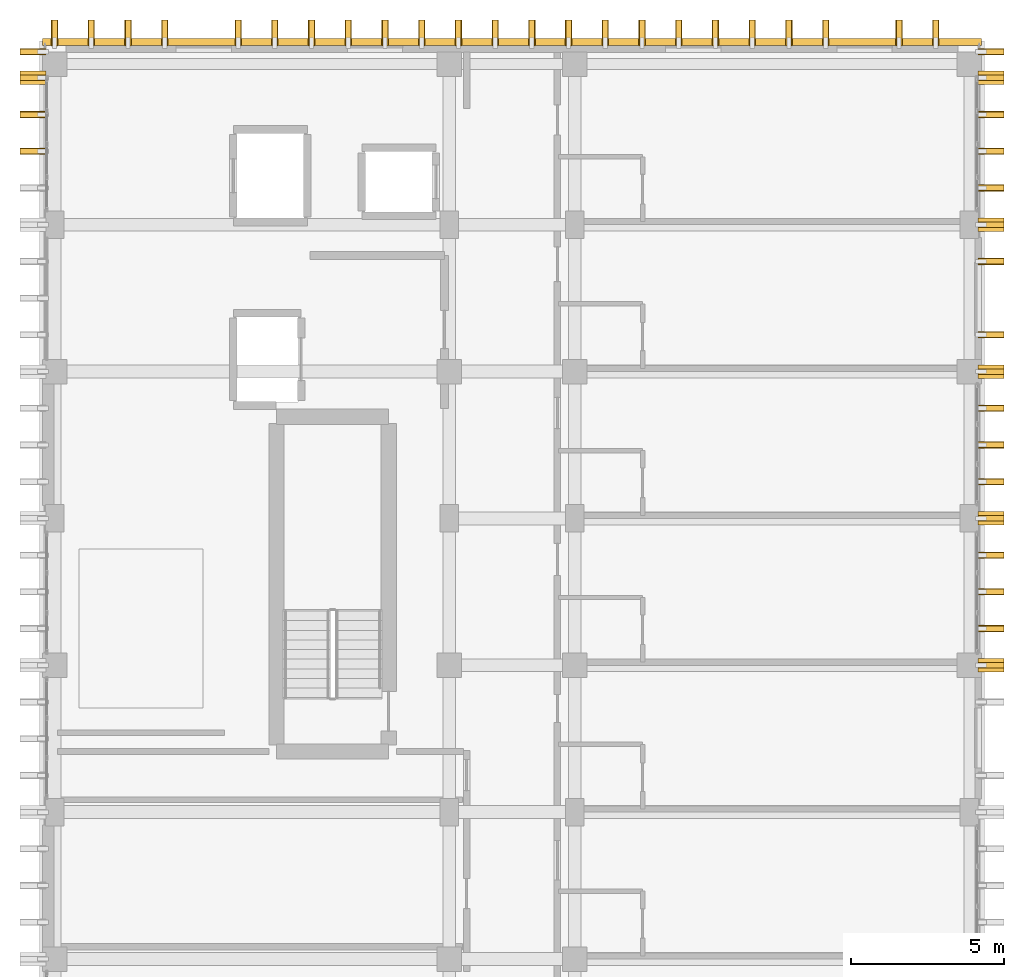
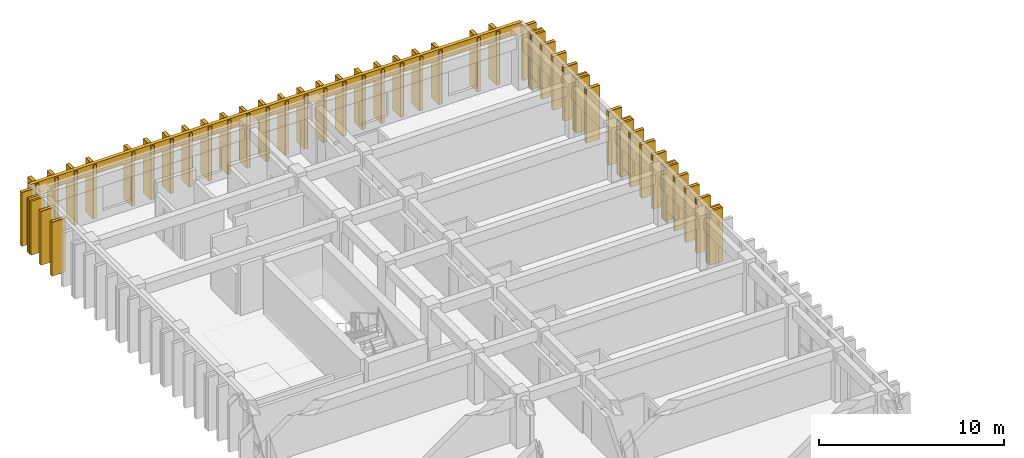
# One storey, part 82 of 82: 45 coverings, 44 shading devices.
"""IFC4 building model written with IfcOpenShell, lengths in metres."""

from ifc_helpers import new_model, si_unit, direction, frame, origin, origin_2d, place, context, subcontext, project, spatial, rectangle, extrude, material, layer, layer_set, type_object, element, save


model = new_model("IFC4")

# Units and contexts
model_context = context("Model", 3, precision=1e-05, world=origin(), true_north=direction((0.0, 1.0)))
body_context = subcontext(model_context, "Body", "Model", "MODEL_VIEW")
ifc_project = project(units=[si_unit("LENGTHUNIT", "METRE"), si_unit("AREAUNIT", "SQUARE_METRE"), si_unit("VOLUMEUNIT", "CUBIC_METRE"), si_unit("PLANEANGLEUNIT", "RADIAN"), si_unit("MASSUNIT", "GRAM", prefix="KILO")], contexts=[model_context])

# Site, building, storey
site_placement = place(None, origin())
site = spatial("IfcSite", under=ifc_project, at=site_placement, CompositionType="ELEMENT")
building_placement = place(site_placement, origin())
building = spatial("IfcBuilding", under=site, at=building_placement, Name="Nakhvara Creek Congress Hotel", CompositionType="ELEMENT")
storey_placement = place(building_placement, frame((0.0, 0.0, 21.0)))
storey = spatial("IfcBuildingStorey", under=building, at=storey_placement, Name="L04", CompositionType="ELEMENT", Elevation=21.0)

# Coverings
ifc_material_1 = material(Name="Honed pale Omani limestone architectural cladding", Category="masonry")
ifc_layer_1 = layer(ifc_material_1, 0.219970703125)
ifc_layer_set_1 = layer_set([ifc_layer_1], Name="Honed pale Omani limestone architectural cladding")
covering_type_1 = type_object("IfcCoveringType", Name="COV-FIN-850", PredefinedType="CLADDING", material=ifc_layer_set_1)
covering_1_placement = place(storey_placement, frame((180.054931640625, 105.60009765625, 0.0), z_axis=(0.0, 0.0, 1.0), x_axis=(0.0, 1.0, 0.0)))
element("IfcCovering", 1, at=covering_1_placement, inside=storey, type_object=covering_type_1, Name="Pale Limestone Fin Cladding CF01-1338", PredefinedType="CLADDING", context=body_context, shape_type="SweptSolid", body=[
    extrude(rectangle(XDim=0.43994140625, YDim=0.85009765625, at=origin_2d()), origin(), (0.0, 0.0, 1.0), 3.56005859375),
])
for number, where, z_axis, x_axis, name in (
    (2, (180.054931640625, 106.800048828125, 0.0), (0.0, 0.0, 1.0), (0.0, 1.0, 0.0), "Pale Limestone Fin Cladding CF01-1340"),
    (3, (180.054931640625, 108.0, 0.0), (0.0, 0.0, 1.0), (0.0, 1.0, 0.0), "Pale Limestone Fin Cladding CF01-1342"),
    (4, (180.054931640625, 109.199951171875, 0.0), (0.0, 0.0, 1.0), (0.0, 1.0, 0.0), "Pale Limestone Fin Cladding CF01-1344"),
):
    element("IfcCovering", number, at=place(storey_placement, frame(where, z_axis=z_axis, x_axis=x_axis)), inside=storey, type_object=covering_type_1, Name=name, PredefinedType="CLADDING", context=body_context, shape_type="SweptSolid", body=[
        extrude(rectangle(XDim=0.219970703125, YDim=0.85009765625, at=origin_2d()), origin(), (0.0, 0.0, 1.0), 3.56005859375),
    ])
covering_2_placement = place(storey_placement, frame((180.054931640625, 110.39990234375, 0.0), z_axis=(0.0, 0.0, 1.0), x_axis=(0.0, 1.0, 0.0)))
element("IfcCovering", 5, at=covering_2_placement, inside=storey, type_object=covering_type_1, Name="Pale Limestone Fin Cladding CF01-1346", PredefinedType="CLADDING", context=body_context, shape_type="SweptSolid", body=[
    extrude(rectangle(XDim=0.43994140625, YDim=0.85009765625, at=origin_2d()), origin(), (0.0, 0.0, 1.0), 3.56005859375),
])
for number, where, z_axis, x_axis, name in (
    (6, (180.054931640625, 111.60009765625, 0.0), (0.0, 0.0, 1.0), (0.0, 1.0, 0.0), "Pale Limestone Fin Cladding CF01-1348"),
    (7, (180.054931640625, 112.800048828125, 0.0), (0.0, 0.0, 1.0), (0.0, 1.0, 0.0), "Pale Limestone Fin Cladding CF01-1350"),
    (8, (180.054931640625, 114.0, 0.0), (0.0, 0.0, 1.0), (0.0, 1.0, 0.0), "Pale Limestone Fin Cladding CF01-1352"),
):
    element("IfcCovering", number, at=place(storey_placement, frame(where, z_axis=z_axis, x_axis=x_axis)), inside=storey, type_object=covering_type_1, Name=name, PredefinedType="CLADDING", context=body_context, shape_type="SweptSolid", body=[
        extrude(rectangle(XDim=0.219970703125, YDim=0.85009765625, at=origin_2d()), origin(), (0.0, 0.0, 1.0), 3.56005859375),
    ])
covering_3_placement = place(storey_placement, frame((180.054931640625, 115.199951171875, 0.0), z_axis=(0.0, 0.0, 1.0), x_axis=(0.0, 1.0, 0.0)))
element("IfcCovering", 9, at=covering_3_placement, inside=storey, type_object=covering_type_1, Name="Pale Limestone Fin Cladding CF01-1354", PredefinedType="CLADDING", context=body_context, shape_type="SweptSolid", body=[
    extrude(rectangle(XDim=0.43994140625, YDim=0.85009765625, at=origin_2d()), origin(), (0.0, 0.0, 1.0), 3.56005859375),
])
for number, where, z_axis, x_axis, name in (
    (10, (180.054931640625, 116.39990234375, 0.0), (0.0, 0.0, 1.0), (0.0, 1.0, 0.0), "Pale Limestone Fin Cladding CF01-1356"),
    (11, (180.054931640625, 118.800048828125, 0.0), (0.0, 0.0, 1.0), (0.0, 1.0, 0.0), "Pale Limestone Fin Cladding CF01-1359"),
):
    element("IfcCovering", number, at=place(storey_placement, frame(where, z_axis=z_axis, x_axis=x_axis)), inside=storey, type_object=covering_type_1, Name=name, PredefinedType="CLADDING", context=body_context, shape_type="SweptSolid", body=[
        extrude(rectangle(XDim=0.219970703125, YDim=0.85009765625, at=origin_2d()), origin(), (0.0, 0.0, 1.0), 3.56005859375),
    ])
covering_4_placement = place(storey_placement, frame((180.054931640625, 120.0, 0.0), z_axis=(0.0, 0.0, 1.0), x_axis=(0.0, 1.0, 0.0)))
element("IfcCovering", 12, at=covering_4_placement, inside=storey, type_object=covering_type_1, Name="Pale Limestone Fin Cladding CF01-1361", PredefinedType="CLADDING", context=body_context, shape_type="SweptSolid", body=[
    extrude(rectangle(XDim=0.43994140625, YDim=0.85009765625, at=origin_2d()), origin(), (0.0, 0.0, 1.0), 3.56005859375),
])
for number, where, z_axis, x_axis, name in (
    (13, (180.054931640625, 121.199951171875, 0.0), (0.0, 0.0, 1.0), (0.0, 1.0, 0.0), "Pale Limestone Fin Cladding CF01-1363"),
    (14, (180.054931640625, 122.39990234375, 0.0), (0.0, 0.0, 1.0), (0.0, 1.0, 0.0), "Pale Limestone Fin Cladding CF01-1365"),
    (15, (148.7451171875, 122.39990234375, 0.0), (0.0, 0.0, 1.0), (0.0, 1.0, 0.0), "Pale Limestone Fin Cladding CF01-1366"),
    (16, (180.054931640625, 123.60009765625, 0.0), (0.0, 0.0, 1.0), (0.0, 1.0, 0.0), "Pale Limestone Fin Cladding CF01-1367"),
    (17, (148.7451171875, 123.60009765625, 0.0), (0.0, 0.0, 1.0), (0.0, 1.0, 0.0), "Pale Limestone Fin Cladding CF01-1368"),
):
    element("IfcCovering", number, at=place(storey_placement, frame(where, z_axis=z_axis, x_axis=x_axis)), inside=storey, type_object=covering_type_1, Name=name, PredefinedType="CLADDING", context=body_context, shape_type="SweptSolid", body=[
        extrude(rectangle(XDim=0.219970703125, YDim=0.85009765625, at=origin_2d()), origin(), (0.0, 0.0, 1.0), 3.56005859375),
    ])
for number, where, z_axis, x_axis, name in (
    (18, (180.054931640625, 124.800048828125, 0.0), (0.0, 0.0, 1.0), (0.0, 1.0, 0.0), "Pale Limestone Fin Cladding CF01-1369"),
    (19, (148.7451171875, 124.800048828125, 0.0), (0.0, 0.0, 1.0), (0.0, 1.0, 0.0), "Pale Limestone Fin Cladding CF01-1370"),
):
    element("IfcCovering", number, at=place(storey_placement, frame(where, z_axis=z_axis, x_axis=x_axis)), inside=storey, type_object=covering_type_1, Name=name, PredefinedType="CLADDING", context=body_context, shape_type="SweptSolid", body=[
        extrude(rectangle(XDim=0.43994140625, YDim=0.85009765625, at=origin_2d()), origin(), (0.0, 0.0, 1.0), 3.56005859375),
    ])
for number, where, z_axis, x_axis, name in (
    (20, (180.054931640625, 125.64990234375, 0.0), (0.0, 0.0, 1.0), (0.0, 1.0, 0.0), "Pale Limestone Fin Cladding CF01-1371"),
    (21, (148.7451171875, 125.64990234375, 0.0), (0.0, 0.0, 1.0), (0.0, 1.0, 0.0), "Pale Limestone Fin Cladding CF01-1372"),
    (22, (149.449951171875, 126.264892578125, 0.0), (0.0, 0.0, 1.0), (1.0, 0.0, 0.0), "Pale Limestone Fin Cladding CF01-1373"),
    (23, (150.64990234375, 126.264892578125, 0.0), (0.0, 0.0, 1.0), (1.0, 0.0, 0.0), "Pale Limestone Fin Cladding CF01-1375"),
    (24, (151.85009765625, 126.264892578125, 0.0), (0.0, 0.0, 1.0), (1.0, 0.0, 0.0), "Pale Limestone Fin Cladding CF01-1377"),
    (25, (153.050048828125, 126.264892578125, 0.0), (0.0, 0.0, 1.0), (1.0, 0.0, 0.0), "Pale Limestone Fin Cladding CF01-1379"),
    (26, (155.449951171875, 126.264892578125, 0.0), (0.0, 0.0, 1.0), (1.0, 0.0, 0.0), "Pale Limestone Fin Cladding CF01-1382"),
    (27, (156.64990234375, 126.264892578125, 0.0), (0.0, 0.0, 1.0), (1.0, 0.0, 0.0), "Pale Limestone Fin Cladding CF01-1384"),
    (28, (157.85009765625, 126.264892578125, 0.0), (0.0, 0.0, 1.0), (1.0, 0.0, 0.0), "Pale Limestone Fin Cladding CF01-1386"),
    (29, (159.050048828125, 126.264892578125, 0.0), (0.0, 0.0, 1.0), (1.0, 0.0, 0.0), "Pale Limestone Fin Cladding CF01-1388"),
    (30, (160.25, 126.264892578125, 0.0), (0.0, 0.0, 1.0), (1.0, 0.0, 0.0), "Pale Limestone Fin Cladding CF01-1390"),
    (31, (161.449951171875, 126.264892578125, 0.0), (0.0, 0.0, 1.0), (1.0, 0.0, 0.0), "Pale Limestone Fin Cladding CF01-1392"),
    (32, (162.64990234375, 126.264892578125, 0.0), (0.0, 0.0, 1.0), (1.0, 0.0, 0.0), "Pale Limestone Fin Cladding CF01-1394"),
    (33, (163.85009765625, 126.264892578125, 0.0), (0.0, 0.0, 1.0), (1.0, 0.0, 0.0), "Pale Limestone Fin Cladding CF01-1396"),
    (34, (165.050048828125, 126.264892578125, 0.0), (0.0, 0.0, 1.0), (1.0, 0.0, 0.0), "Pale Limestone Fin Cladding CF01-1397"),
    (35, (166.25, 126.264892578125, 0.0), (0.0, 0.0, 1.0), (1.0, 0.0, 0.0), "Pale Limestone Fin Cladding CF01-1398"),
    (36, (167.449951171875, 126.264892578125, 0.0), (0.0, 0.0, 1.0), (1.0, 0.0, 0.0), "Pale Limestone Fin Cladding CF01-1400"),
    (37, (168.64990234375, 126.264892578125, 0.0), (0.0, 0.0, 1.0), (1.0, 0.0, 0.0), "Pale Limestone Fin Cladding CF01-1402"),
    (38, (169.85009765625, 126.264892578125, 0.0), (0.0, 0.0, 1.0), (1.0, 0.0, 0.0), "Pale Limestone Fin Cladding CF01-1403"),
    (39, (171.050048828125, 126.264892578125, 0.0), (0.0, 0.0, 1.0), (1.0, 0.0, 0.0), "Pale Limestone Fin Cladding CF01-1405"),
    (40, (172.25, 126.264892578125, 0.0), (0.0, 0.0, 1.0), (1.0, 0.0, 0.0), "Pale Limestone Fin Cladding CF01-1407"),
    (41, (173.449951171875, 126.264892578125, 0.0), (0.0, 0.0, 1.0), (1.0, 0.0, 0.0), "Pale Limestone Fin Cladding CF01-1409"),
    (42, (174.64990234375, 126.264892578125, 0.0), (0.0, 0.0, 1.0), (1.0, 0.0, 0.0), "Pale Limestone Fin Cladding CF01-1411"),
    (43, (177.050048828125, 126.264892578125, 0.0), (0.0, 0.0, 1.0), (1.0, 0.0, 0.0), "Pale Limestone Fin Cladding CF01-1414"),
    (44, (178.25, 126.264892578125, 0.0), (0.0, 0.0, 1.0), (1.0, 0.0, 0.0), "Pale Limestone Fin Cladding CF01-1416"),
):
    element("IfcCovering", number, at=place(storey_placement, frame(where, z_axis=z_axis, x_axis=x_axis)), inside=storey, type_object=covering_type_1, Name=name, PredefinedType="CLADDING", context=body_context, shape_type="SweptSolid", body=[
        extrude(rectangle(XDim=0.219970703125, YDim=0.85009765625, at=origin_2d()), origin(), (0.0, 0.0, 1.0), 3.56005859375),
    ])
ifc_layer_2 = layer(ifc_material_1, 0.179931640625)
ifc_layer_set_2 = layer_set([ifc_layer_2], Name="Honed pale Omani limestone architectural cladding")
covering_type_2 = type_object("IfcCoveringType", Name="COV-SPN-180", PredefinedType="CLADDING", material=ifc_layer_set_2)
covering_5_placement = place(storey_placement, frame((164.39990234375, 125.969970703125, 2.909912109375), z_axis=(0.0, 0.0, 1.0), x_axis=(1.0, 0.0, 0.0)))
element("IfcCovering", 45, at=covering_5_placement, inside=storey, type_object=covering_type_2, Name="Pale Limestone Spandrel Band CF02-0059", PredefinedType="CLADDING", context=body_context, shape_type="SweptSolid", body=[
    extrude(rectangle(XDim=30.699951171875, YDim=0.219970703125, at=origin_2d()), origin(), (0.0, 0.0, 1.0), 0.72998046875),
])

# Shading devices
ifc_material_2 = material(Name="Honed pale Omani limestone cladding on stainless steel spine", Category="masonry")
shading_device_type = type_object("IfcShadingDeviceType", Name="SHD-FIN-850X3600", PredefinedType="USERDEFINED", material=ifc_material_2)
for number, where, z_axis, x_axis, name in (
    (46, (180.054931640625, 105.60009765625, 0.0), (0.0, 0.0, 1.0), (0.0, 1.0, 0.0), "Limestone Solar Fin FN01-1203"),
    (47, (180.054931640625, 106.800048828125, 0.0), (0.0, 0.0, 1.0), (0.0, 1.0, 0.0), "Limestone Solar Fin FN01-1205"),
    (48, (180.054931640625, 108.0, 0.0), (0.0, 0.0, 1.0), (0.0, 1.0, 0.0), "Limestone Solar Fin FN01-1207"),
    (49, (180.054931640625, 109.199951171875, 0.0), (0.0, 0.0, 1.0), (0.0, 1.0, 0.0), "Limestone Solar Fin FN01-1209"),
    (50, (180.054931640625, 110.39990234375, 0.0), (0.0, 0.0, 1.0), (0.0, 1.0, 0.0), "Limestone Solar Fin FN01-1211"),
    (51, (180.054931640625, 111.60009765625, 0.0), (0.0, 0.0, 1.0), (0.0, 1.0, 0.0), "Limestone Solar Fin FN01-1213"),
    (52, (180.054931640625, 112.800048828125, 0.0), (0.0, 0.0, 1.0), (0.0, 1.0, 0.0), "Limestone Solar Fin FN01-1215"),
    (53, (180.054931640625, 114.0, 0.0), (0.0, 0.0, 1.0), (0.0, 1.0, 0.0), "Limestone Solar Fin FN01-1217"),
    (54, (180.054931640625, 115.199951171875, 0.0), (0.0, 0.0, 1.0), (0.0, 1.0, 0.0), "Limestone Solar Fin FN01-1219"),
    (55, (180.054931640625, 116.39990234375, 0.0), (0.0, 0.0, 1.0), (0.0, 1.0, 0.0), "Limestone Solar Fin FN01-1221"),
    (56, (180.054931640625, 118.800048828125, 0.0), (0.0, 0.0, 1.0), (0.0, 1.0, 0.0), "Limestone Solar Fin FN01-1224"),
    (57, (180.054931640625, 120.0, 0.0), (0.0, 0.0, 1.0), (0.0, 1.0, 0.0), "Limestone Solar Fin FN01-1226"),
    (58, (180.054931640625, 121.199951171875, 0.0), (0.0, 0.0, 1.0), (0.0, 1.0, 0.0), "Limestone Solar Fin FN01-1228"),
    (59, (180.054931640625, 122.39990234375, 0.0), (0.0, 0.0, 1.0), (0.0, 1.0, 0.0), "Limestone Solar Fin FN01-1230"),
    (60, (148.7451171875, 122.39990234375, 0.0), (0.0, 0.0, 1.0), (0.0, 1.0, 0.0), "Limestone Solar Fin FN01-1231"),
    (61, (180.054931640625, 123.60009765625, 0.0), (0.0, 0.0, 1.0), (0.0, 1.0, 0.0), "Limestone Solar Fin FN01-1232"),
    (62, (148.7451171875, 123.60009765625, 0.0), (0.0, 0.0, 1.0), (0.0, 1.0, 0.0), "Limestone Solar Fin FN01-1233"),
    (63, (180.054931640625, 124.800048828125, 0.0), (0.0, 0.0, 1.0), (0.0, 1.0, 0.0), "Limestone Solar Fin FN01-1234"),
    (64, (148.7451171875, 124.800048828125, 0.0), (0.0, 0.0, 1.0), (0.0, 1.0, 0.0), "Limestone Solar Fin FN01-1235"),
    (65, (180.054931640625, 125.64990234375, 0.0), (0.0, 0.0, 1.0), (0.0, 1.0, 0.0), "Limestone Solar Fin FN01-1236"),
    (66, (148.7451171875, 125.64990234375, 0.0), (0.0, 0.0, 1.0), (0.0, 1.0, 0.0), "Limestone Solar Fin FN01-1237"),
    (67, (149.449951171875, 126.264892578125, 0.0), (0.0, 0.0, 1.0), (1.0, 0.0, 0.0), "Limestone Solar Fin FN01-1238"),
    (68, (150.64990234375, 126.264892578125, 0.0), (0.0, 0.0, 1.0), (1.0, 0.0, 0.0), "Limestone Solar Fin FN01-1240"),
    (69, (151.85009765625, 126.264892578125, 0.0), (0.0, 0.0, 1.0), (1.0, 0.0, 0.0), "Limestone Solar Fin FN01-1242"),
    (70, (153.050048828125, 126.264892578125, 0.0), (0.0, 0.0, 1.0), (1.0, 0.0, 0.0), "Limestone Solar Fin FN01-1244"),
    (71, (155.449951171875, 126.264892578125, 0.0), (0.0, 0.0, 1.0), (1.0, 0.0, 0.0), "Limestone Solar Fin FN01-1247"),
    (72, (156.64990234375, 126.264892578125, 0.0), (0.0, 0.0, 1.0), (1.0, 0.0, 0.0), "Limestone Solar Fin FN01-1249"),
    (73, (157.85009765625, 126.264892578125, 0.0), (0.0, 0.0, 1.0), (1.0, 0.0, 0.0), "Limestone Solar Fin FN01-1251"),
    (74, (159.050048828125, 126.264892578125, 0.0), (0.0, 0.0, 1.0), (1.0, 0.0, 0.0), "Limestone Solar Fin FN01-1253"),
    (75, (160.25, 126.264892578125, 0.0), (0.0, 0.0, 1.0), (1.0, 0.0, 0.0), "Limestone Solar Fin FN01-1255"),
    (76, (161.449951171875, 126.264892578125, 0.0), (0.0, 0.0, 1.0), (1.0, 0.0, 0.0), "Limestone Solar Fin FN01-1257"),
    (77, (162.64990234375, 126.264892578125, 0.0), (0.0, 0.0, 1.0), (1.0, 0.0, 0.0), "Limestone Solar Fin FN01-1259"),
    (78, (163.85009765625, 126.264892578125, 0.0), (0.0, 0.0, 1.0), (1.0, 0.0, 0.0), "Limestone Solar Fin FN01-1261"),
    (79, (165.050048828125, 126.264892578125, 0.0), (0.0, 0.0, 1.0), (1.0, 0.0, 0.0), "Limestone Solar Fin FN01-1262"),
    (80, (166.25, 126.264892578125, 0.0), (0.0, 0.0, 1.0), (1.0, 0.0, 0.0), "Limestone Solar Fin FN01-1263"),
    (81, (167.449951171875, 126.264892578125, 0.0), (0.0, 0.0, 1.0), (1.0, 0.0, 0.0), "Limestone Solar Fin FN01-1265"),
    (82, (168.64990234375, 126.264892578125, 0.0), (0.0, 0.0, 1.0), (1.0, 0.0, 0.0), "Limestone Solar Fin FN01-1267"),
    (83, (169.85009765625, 126.264892578125, 0.0), (0.0, 0.0, 1.0), (1.0, 0.0, 0.0), "Limestone Solar Fin FN01-1268"),
    (84, (171.050048828125, 126.264892578125, 0.0), (0.0, 0.0, 1.0), (1.0, 0.0, 0.0), "Limestone Solar Fin FN01-1270"),
    (85, (172.25, 126.264892578125, 0.0), (0.0, 0.0, 1.0), (1.0, 0.0, 0.0), "Limestone Solar Fin FN01-1272"),
    (86, (173.449951171875, 126.264892578125, 0.0), (0.0, 0.0, 1.0), (1.0, 0.0, 0.0), "Limestone Solar Fin FN01-1274"),
    (87, (174.64990234375, 126.264892578125, 0.0), (0.0, 0.0, 1.0), (1.0, 0.0, 0.0), "Limestone Solar Fin FN01-1276"),
    (88, (177.050048828125, 126.264892578125, 0.0), (0.0, 0.0, 1.0), (1.0, 0.0, 0.0), "Limestone Solar Fin FN01-1279"),
    (89, (178.25, 126.264892578125, 0.0), (0.0, 0.0, 1.0), (1.0, 0.0, 0.0), "Limestone Solar Fin FN01-1281"),
):
    element("IfcShadingDevice", number, at=place(storey_placement, frame(where, z_axis=z_axis, x_axis=x_axis)), inside=storey, type_object=shading_device_type, Name=name, ObjectType="FIN", PredefinedType="USERDEFINED", context=body_context, shape_type="SweptSolid", body=[
        extrude(rectangle(XDim=0.179931640625, YDim=0.85009765625, at=origin_2d()), origin(), (0.0, 0.0, 1.0), 3.56005859375),
    ])

save(model, "model.ifc")
